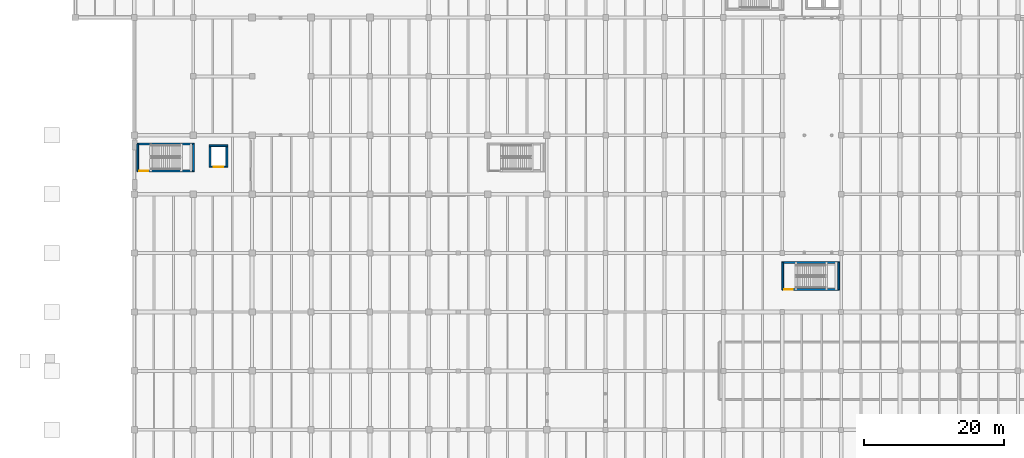
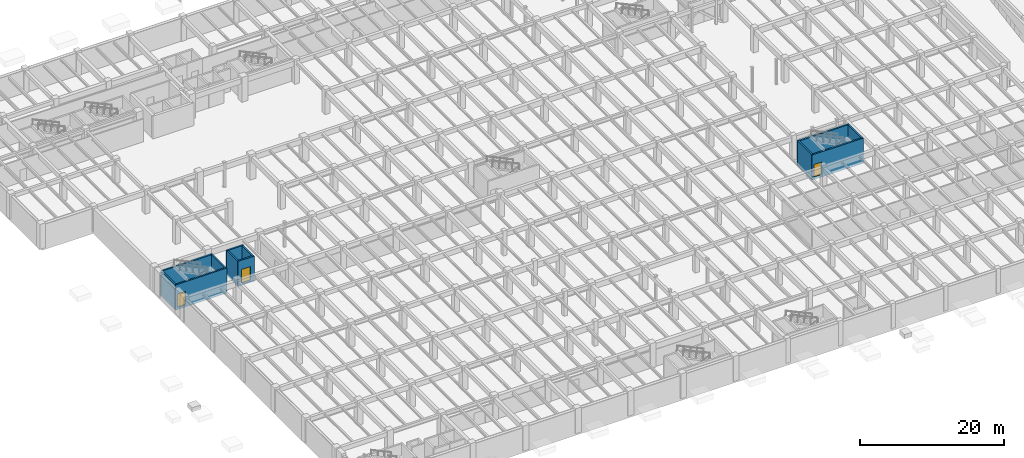
# One storey, part 38 of 63: 12 walls, 3 doors, 3 openings.
"""IFC4 building model written with IfcOpenShell, lengths in metres."""

from ifc_helpers import new_model, si_unit, direction, frame, frame_2d, origin, place, context, subcontext, project, spatial, rectangle, extrude, material, layer, layer_set, type_object, element, fill, save


model = new_model("IFC4")

# Units and contexts
model_context = context("Model", 3, precision=1e-05, world=origin(), true_north=direction((0.0, 1.0)))
body_context = subcontext(model_context, "Body", "Model", "MODEL_VIEW")
ifc_project = project(units=[si_unit("LENGTHUNIT", "METRE"), si_unit("AREAUNIT", "SQUARE_METRE"), si_unit("VOLUMEUNIT", "CUBIC_METRE"), si_unit("PLANEANGLEUNIT", "RADIAN"), si_unit("MASSUNIT", "GRAM", prefix="KILO")], contexts=[model_context])

# Site, building, storey
site_placement = place(None, origin())
site = spatial("IfcSite", under=ifc_project, at=site_placement, CompositionType="ELEMENT")
building_placement = place(site_placement, origin())
building = spatial("IfcBuilding", under=site, at=building_placement, Name="Cumbredor Promenade Congress Hotel", CompositionType="ELEMENT")
storey_placement = place(building_placement, frame((0.0, 0.0, -4.199951171875)))
storey = spatial("IfcBuildingStorey", under=building, at=storey_placement, Name="B01", CompositionType="ELEMENT", Elevation=-4.199951171875)

# Wall, opening, door
ifc_material_1 = material(Name="Concrete C40/50", Category="concrete")
ifc_layer = layer(ifc_material_1, 0.2548828125, Name="Concrete C40/50", Category="concrete")
ifc_layer_set = layer_set([ifc_layer], Name="Concrete C40/50")
wall_type = type_object("IfcWallType", Name="WL-SHAFT-250", PredefinedType="SOLIDWALL", material=ifc_layer_set)
wall_1_placement = place(storey_placement, frame((8.75244140625, 62.10009765625, -0.400146484375), z_axis=(0.0, 0.0, 1.0), x_axis=(1.0, 0.0, 0.0)))
wall_1 = element("IfcWall", 1, at=wall_1_placement, inside=storey, type_object=wall_type, Name="STAIR-ST-06-B01 Shaft Wall South", PredefinedType="SOLIDWALL", context=body_context, shape_type="SweptSolid", body=[
    extrude(rectangle(XDim=8.22509765625, YDim=0.2548828125, at=frame_2d((4.112548828125, 0.0))), origin(), (0.0, 0.0, 1.0), 4.25),
])
opening_1_placement = place(wall_1_placement, frame((0.35009765625, 0.0, 0.39990234375)))
opening_1 = element("IfcOpeningElement", 2, at=opening_1_placement, cuts=wall_1, Name="Opening SD-02", PredefinedType="OPENING", context=body_context, shape_type="SweptSolid", body=[
    extrude(rectangle(XDim=1.25, YDim=2.199951171875, at=frame_2d((0.625, 1.10009765625))), frame((0.0, 0.137451171875, 0.0), z_axis=(0.0, -1.0, 0.0), x_axis=(1.0, 0.0, 0.0)), (0.0, 0.0, 1.0), 0.27490234375),
])
ifc_material_2 = material(Name="Painted galvanized steel fire door", Category="steel")
door_type_1 = type_object("IfcDoorType", Name="DR-STAIR-FD90-1250", OperationType="NOTDEFINED", PredefinedType="DOOR", material=ifc_material_2)
door_1_placement = place(opening_1_placement, origin())
door_1 = element("IfcDoor", 3, at=door_1_placement, inside=storey, type_object=door_type_1, Name="B01 Protected Exit Stair ST-06 Door", OperationType="SINGLE_SWING_RIGHT", OverallHeight=2.199951171875, OverallWidth=1.25, PredefinedType="DOOR", context=body_context, shape_type="SweptSolid", body=[
    extrude(rectangle(XDim=1.25, YDim=2.199951171875, at=frame_2d((0.625, 1.10009765625))), frame((0.0, 0.02490234375, 0.0), z_axis=(0.0, -1.0, 0.0), x_axis=(1.0, 0.0, 0.0)), (0.0, 0.0, 1.0), 0.050048828125),
])
fill(opening_1, door_1)

# Walls
wall_2_placement = place(storey_placement, frame((8.75244140625, 65.949951171875, -0.400146484375), z_axis=(0.0, 0.0, 1.0), x_axis=(1.0, 0.0, 0.0)))
element("IfcWall", 4, at=wall_2_placement, inside=storey, type_object=wall_type, Name="STAIR-ST-06-B01 Shaft Wall North", PredefinedType="SOLIDWALL", context=body_context, shape_type="SweptSolid", body=[
    extrude(rectangle(XDim=8.22509765625, YDim=0.2548828125, at=frame_2d((4.112548828125, 0.0))), origin(), (0.0, 0.0, 1.0), 4.25),
])
for number, where, z_axis, x_axis, name in (
    (5, (8.8798828125, 62.10009765625, -0.400146484375), (0.0, 0.0, 1.0), (0.0, 1.0, 0.0), "STAIR-ST-06-B01 Shaft Wall West"),
    (6, (16.85009765625, 62.10009765625, -0.400146484375), (0.0, 0.0, 1.0), (0.0, 1.0, 0.0), "STAIR-ST-06-B01 Shaft Wall East"),
):
    element("IfcWall", number, at=place(storey_placement, frame(where, z_axis=z_axis, x_axis=x_axis)), inside=storey, type_object=wall_type, Name=name, PredefinedType="SOLIDWALL", context=body_context, shape_type="SweptSolid", body=[
        extrude(rectangle(XDim=3.849853515625, YDim=0.2548828125, at=frame_2d((1.9248046875, 0.0))), origin(), (0.0, 0.0, 1.0), 4.25),
    ])

# Wall, opening, door
wall_3_placement = place(storey_placement, frame((100.75244140625, 45.199951171875, -0.400146484375), z_axis=(0.0, 0.0, 1.0), x_axis=(1.0, 0.0, 0.0)))
wall_3 = element("IfcWall", 7, at=wall_3_placement, inside=storey, type_object=wall_type, Name="STAIR-ST-12-B01 Shaft Wall South", PredefinedType="SOLIDWALL", context=body_context, shape_type="SweptSolid", body=[
    extrude(rectangle(XDim=8.22509765625, YDim=0.2548828125, at=frame_2d((4.112548828125, 0.0))), origin(), (0.0, 0.0, 1.0), 4.25),
])
opening_2_placement = place(wall_3_placement, frame((0.35009765625, 0.0, 0.39990234375)))
opening_2 = element("IfcOpeningElement", 8, at=opening_2_placement, cuts=wall_3, Name="Opening SD-01", PredefinedType="OPENING", context=body_context, shape_type="SweptSolid", body=[
    extrude(rectangle(XDim=1.159912109375, YDim=2.14990234375, at=frame_2d((0.580078125, 1.074951171875))), frame((0.0, 0.137451171875, 0.0), z_axis=(0.0, -1.0, 0.0), x_axis=(1.0, 0.0, 0.0)), (0.0, 0.0, 1.0), 0.27490234375),
])
door_type_2 = type_object("IfcDoorType", Name="DR-STAIR-FD90-1150", OperationType="NOTDEFINED", PredefinedType="DOOR", material=ifc_material_2)
door_2_placement = place(opening_2_placement, origin())
door_2 = element("IfcDoor", 9, at=door_2_placement, inside=storey, type_object=door_type_2, Name="B01 Protected Exit Stair ST-12 Door", OperationType="SINGLE_SWING_LEFT", OverallHeight=2.14990234375, OverallWidth=1.159912109375, PredefinedType="DOOR", context=body_context, shape_type="SweptSolid", body=[
    extrude(rectangle(XDim=1.159912109375, YDim=2.14990234375, at=frame_2d((0.580078125, 1.074951171875))), frame((0.0, 0.02490234375, 0.0), z_axis=(0.0, -1.0, 0.0), x_axis=(1.0, 0.0, 0.0)), (0.0, 0.0, 1.0), 0.050048828125),
])
fill(opening_2, door_2)

# Walls
wall_4_placement = place(storey_placement, frame((100.75244140625, 49.050048828125, -0.400146484375), z_axis=(0.0, 0.0, 1.0), x_axis=(1.0, 0.0, 0.0)))
element("IfcWall", 10, at=wall_4_placement, inside=storey, type_object=wall_type, Name="STAIR-ST-12-B01 Shaft Wall North", PredefinedType="SOLIDWALL", context=body_context, shape_type="SweptSolid", body=[
    extrude(rectangle(XDim=8.22509765625, YDim=0.2548828125, at=frame_2d((4.112548828125, 0.0))), origin(), (0.0, 0.0, 1.0), 4.25),
])
for number, where, z_axis, x_axis, name in (
    (11, (100.8798828125, 45.199951171875, -0.400146484375), (0.0, 0.0, 1.0), (0.0, 1.0, 0.0), "STAIR-ST-12-B01 Shaft Wall West"),
    (12, (108.85009765625, 45.199951171875, -0.400146484375), (0.0, 0.0, 1.0), (0.0, 1.0, 0.0), "STAIR-ST-12-B01 Shaft Wall East"),
):
    element("IfcWall", number, at=place(storey_placement, frame(where, z_axis=z_axis, x_axis=x_axis)), inside=storey, type_object=wall_type, Name=name, PredefinedType="SOLIDWALL", context=body_context, shape_type="SweptSolid", body=[
        extrude(rectangle(XDim=3.85009765625, YDim=0.2548828125, at=frame_2d((1.925048828125, 0.0))), origin(), (0.0, 0.0, 1.0), 4.25),
    ])

# Wall, opening, door
wall_5_placement = place(storey_placement, frame((19.072509765625, 62.699951171875, -0.400146484375), z_axis=(0.0, 0.0, 1.0), x_axis=(1.0, 0.0, 0.0)))
wall_5 = element("IfcWall", 13, at=wall_5_placement, inside=storey, type_object=wall_type, Name="SHAFT-SV-01-B01 Shaft Wall South", PredefinedType="SOLIDWALL", context=body_context, shape_type="SweptSolid", body=[
    extrude(rectangle(XDim=2.655029296875, YDim=0.2548828125, at=frame_2d((1.32763671875, 0.0))), origin(), (0.0, 0.0, 1.0), 4.25),
])
opening_3_placement = place(wall_5_placement, frame((0.62744140625, 0.0, 0.39990234375)))
opening_3 = element("IfcOpeningElement", 14, at=opening_3_placement, cuts=wall_5, Name="Opening LD-03", PredefinedType="OPENING", context=body_context, shape_type="SweptSolid", body=[
    extrude(rectangle(XDim=1.39990234375, YDim=2.300048828125, at=frame_2d((0.699951171875, 1.14990234375))), frame((0.0, 0.137451171875, 0.0), z_axis=(0.0, -1.0, 0.0), x_axis=(1.0, 0.0, 0.0)), (0.0, 0.0, 1.0), 0.27490234375),
])
ifc_material_3 = material(Name="Brushed stainless steel", Category="steel")
door_type_3 = type_object("IfcDoorType", Name="Service Lift Sliding Door LD-03 1400x2300", OperationType="DOUBLE_DOOR_SLIDING", PredefinedType="DOOR", material=ifc_material_3)
door_3_placement = place(opening_3_placement, origin())
door_3 = element("IfcDoor", 15, at=door_3_placement, inside=storey, type_object=door_type_3, Name="B01 Plenary Stage Goods Lift SV-01 Sliding Landing Door", OperationType="DOUBLE_DOOR_SLIDING", OverallHeight=2.300048828125, OverallWidth=1.39990234375, PredefinedType="DOOR", context=body_context, shape_type="SweptSolid", body=[
    extrude(rectangle(XDim=1.39990234375, YDim=2.300048828125, at=frame_2d((0.699951171875, 1.14990234375))), frame((0.0, 0.02490234375, 0.0), z_axis=(0.0, -1.0, 0.0), x_axis=(1.0, 0.0, 0.0)), (0.0, 0.0, 1.0), 0.050048828125),
])
fill(opening_3, door_3)

# Walls
wall_6_placement = place(storey_placement, frame((19.072509765625, 65.699951171875, -0.400146484375), z_axis=(0.0, 0.0, 1.0), x_axis=(1.0, 0.0, 0.0)))
element("IfcWall", 16, at=wall_6_placement, inside=storey, type_object=wall_type, Name="SHAFT-SV-01-B01 Shaft Wall North", PredefinedType="SOLIDWALL", context=body_context, shape_type="SweptSolid", body=[
    extrude(rectangle(XDim=2.655029296875, YDim=0.2548828125, at=frame_2d((1.32763671875, 0.0))), origin(), (0.0, 0.0, 1.0), 4.25),
])
for number, where, z_axis, x_axis, name in (
    (17, (19.199951171875, 62.699951171875, -0.400146484375), (0.0, 0.0, 1.0), (0.0, 1.0, 0.0), "SHAFT-SV-01-B01 Shaft Wall West"),
    (18, (21.60009765625, 62.699951171875, -0.400146484375), (0.0, 0.0, 1.0), (0.0, 1.0, 0.0), "SHAFT-SV-01-B01 Shaft Wall East"),
):
    element("IfcWall", number, at=place(storey_placement, frame(where, z_axis=z_axis, x_axis=x_axis)), inside=storey, type_object=wall_type, Name=name, PredefinedType="SOLIDWALL", context=body_context, shape_type="SweptSolid", body=[
        extrude(rectangle(XDim=3.0, YDim=0.2548828125, at=frame_2d((1.5, 0.0))), origin(), (0.0, 0.0, 1.0), 4.25),
    ])

save(model, "model.ifc")
